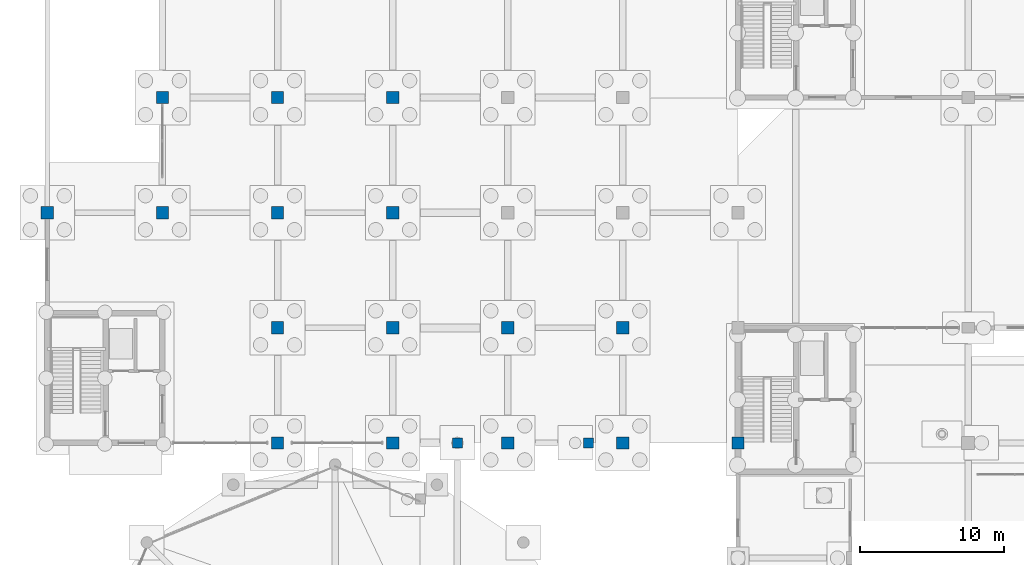
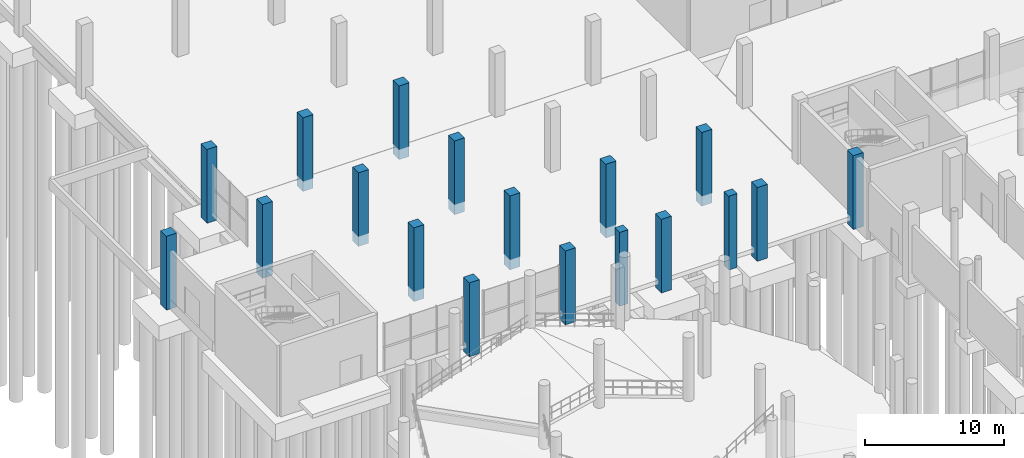
# One storey, part 20 of 98: 18 columns.
"""IFC4 building model written with IfcOpenShell, lengths in metres."""

from ifc_helpers import new_model, si_unit, derived_unit, direction, frame, origin, origin_2d, place, context, subcontext, project, spatial, rectangle, extrude, material, material_profile, profile_set, type_object, element, save


model = new_model("IFC4")

# Units and contexts
model_context = context("Model", 3, precision=1e-05, world=origin(), true_north=direction((0.0, 1.0)))
body_context = subcontext(model_context, "Body", "Model", "MODEL_VIEW")
ifc_project = project(units=[si_unit("LENGTHUNIT", "METRE"), si_unit("AREAUNIT", "SQUARE_METRE"), si_unit("VOLUMEUNIT", "CUBIC_METRE"), si_unit("PLANEANGLEUNIT", "RADIAN"), si_unit("MASSUNIT", "GRAM", prefix="KILO"), si_unit("THERMODYNAMICTEMPERATUREUNIT", "KELVIN"), derived_unit("THERMALTRANSMITTANCEUNIT", [(si_unit("POWERUNIT", "WATT"), 1), (si_unit("AREAUNIT", "SQUARE_METRE"), -1), (si_unit("THERMODYNAMICTEMPERATUREUNIT", "KELVIN"), -1)])], contexts=[model_context])

# Site, building, storey
site_placement = place(None, origin())
site = spatial("IfcSite", under=ifc_project, at=site_placement, CompositionType="ELEMENT")
building_placement = place(site_placement, origin())
building = spatial("IfcBuilding", under=site, at=building_placement, Name="Haiyu Intermodal Mobility Hub", CompositionType="ELEMENT")
storey_placement = place(building_placement, origin())
storey = spatial("IfcBuildingStorey", under=building, at=storey_placement, Name="L00", CompositionType="ELEMENT", Elevation=0.0)

# Columns
ifc_material_1 = material(Name="Precast concrete C40", Category="concrete")
ifc_material_profile_1 = material_profile(ifc_material_1, rectangle(XDim=0.85009765625, YDim=0.85009765625, at=origin_2d()), Name="RC850x850")
ifc_profile_set_1 = profile_set([ifc_material_profile_1], Name="Precast concrete C40")
column_type_1 = type_object("IfcColumnType", Name="COL-CC01", PredefinedType="COLUMN", material=ifc_profile_set_1)
for number, where, z_axis, x_axis, name in (
    (1, (22.0, 96.0, -0.89990234375), (0.0, 0.0, 1.0), (1.0, 0.0, 0.0), "Column V4W-2L L00"),
    (2, (30.0, 88.0, -0.89990234375), (0.0, 0.0, 1.0), (1.0, 0.0, 0.0), "Column V4W-3K L00"),
    (3, (30.0, 96.0, -0.89990234375), (0.0, 0.0, 1.0), (1.0, 0.0, 0.0), "Column V4W-3L L00"),
    (4, (38.0, 88.0, -0.89990234375), (0.0, 0.0, 1.0), (1.0, 0.0, 0.0), "Column V4W-4K L00"),
    (5, (38.0, 96.0, -0.89990234375), (0.0, 0.0, 1.0), (1.0, 0.0, 0.0), "Column V4W-4L L00"),
    (6, (46.0, 88.0, -0.89990234375), (0.0, 0.0, 1.0), (1.0, 0.0, 0.0), "Column V4W-5K L00"),
    (7, (54.0, 88.0, -0.89990234375), (0.0, 0.0, 1.0), (1.0, 0.0, 0.0), "Column V4W-6K L00"),
):
    element("IfcColumn", number, at=place(storey_placement, frame(where, z_axis=z_axis, x_axis=x_axis)), inside=storey, type_object=column_type_1, Name=name, PredefinedType="COLUMN", context=body_context, shape_type="SweptSolid", body=[
        extrude(rectangle(XDim=0.85009765625, YDim=0.85009765625, at=origin_2d()), origin(), (0.0, 0.0, 1.0), 6.5),
    ])
ifc_material_profile_2 = material_profile(ifc_material_1, rectangle(XDim=0.85009765625, YDim=0.85009765625, at=origin_2d()), Name="RC850x850")
ifc_profile_set_2 = profile_set([ifc_material_profile_2], Name="Precast concrete C40")
column_type_2 = type_object("IfcColumnType", Name="COL-CC01-EXT", PredefinedType="COLUMN", material=ifc_profile_set_2)
for number, where, z_axis, x_axis, name in (
    (8, (22.0, 104.0, -0.89990234375), (0.0, 0.0, 1.0), (1.0, 0.0, 0.0), "Column V4-2M L00"),
    (9, (30.0, 104.0, -0.89990234375), (0.0, 0.0, 1.0), (1.0, 0.0, 0.0), "Column V4-3M L00"),
    (10, (38.0, 104.0, -0.89990234375), (0.0, 0.0, 1.0), (1.0, 0.0, 0.0), "Column V4-4M L00"),
    (11, (14.0, 96.0, -0.89990234375), (0.0, 0.0, 1.0), (1.0, 0.0, 0.0), "Column V4W-1L L00"),
    (12, (30.0, 80.0, -0.89990234375), (0.0, 0.0, 1.0), (1.0, 0.0, 0.0), "Column V4W-3J L00"),
    (13, (38.0, 80.0, -0.89990234375), (0.0, 0.0, 1.0), (1.0, 0.0, 0.0), "Column V4W-4J L00"),
    (14, (46.0, 80.0, -0.89990234375), (0.0, 0.0, 1.0), (1.0, 0.0, 0.0), "Column V4W-5J L00"),
    (15, (54.0, 80.0, -0.89990234375), (0.0, 0.0, 1.0), (1.0, 0.0, 0.0), "Column V4W-6J L00"),
    (16, (62.0, 80.0, -0.89990234375), (0.0, 0.0, 1.0), (1.0, 0.0, 0.0), "Column V4W-7J L00"),
):
    element("IfcColumn", number, at=place(storey_placement, frame(where, z_axis=z_axis, x_axis=x_axis)), inside=storey, type_object=column_type_2, Name=name, PredefinedType="COLUMN", context=body_context, shape_type="SweptSolid", body=[
        extrude(rectangle(XDim=0.85009765625, YDim=0.85009765625, at=origin_2d()), origin(), (0.0, 0.0, 1.0), 6.5),
    ])
ifc_material_2 = material(Name="Concrete C40", Category="concrete")
ifc_material_profile_3 = material_profile(ifc_material_2, rectangle(XDim=0.699951171875, YDim=0.699951171875, at=origin_2d()), Name="RC700x700")
ifc_profile_set_3 = profile_set([ifc_material_profile_3], Name="Concrete C40")
column_type_3 = type_object("IfcColumnType", Name="COL-CC08", PredefinedType="COLUMN", material=ifc_profile_set_3)
for number, where, z_axis, x_axis, name in (
    (17, (51.60009765625, 80.0, -0.89990234375), (0.0, 0.0, 1.0), (1.0, 0.0, 0.0), "Column V2L-4 L00"),
    (18, (42.5, 80.0, -0.89990234375), (0.0, 0.0, 1.0), (1.0, 0.0, 0.0), "Column V2LW-4 L00"),
):
    element("IfcColumn", number, at=place(storey_placement, frame(where, z_axis=z_axis, x_axis=x_axis)), inside=storey, type_object=column_type_3, Name=name, PredefinedType="COLUMN", context=body_context, shape_type="SweptSolid", body=[
        extrude(rectangle(XDim=0.699951171875, YDim=0.699951171875, at=origin_2d()), origin(), (0.0, 0.0, 1.0), 6.5),
    ])

save(model, "model.ifc")
